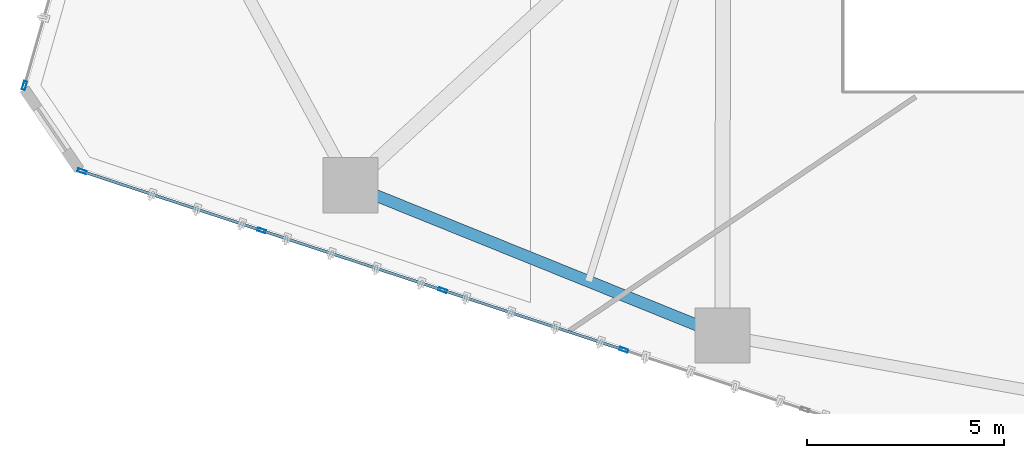
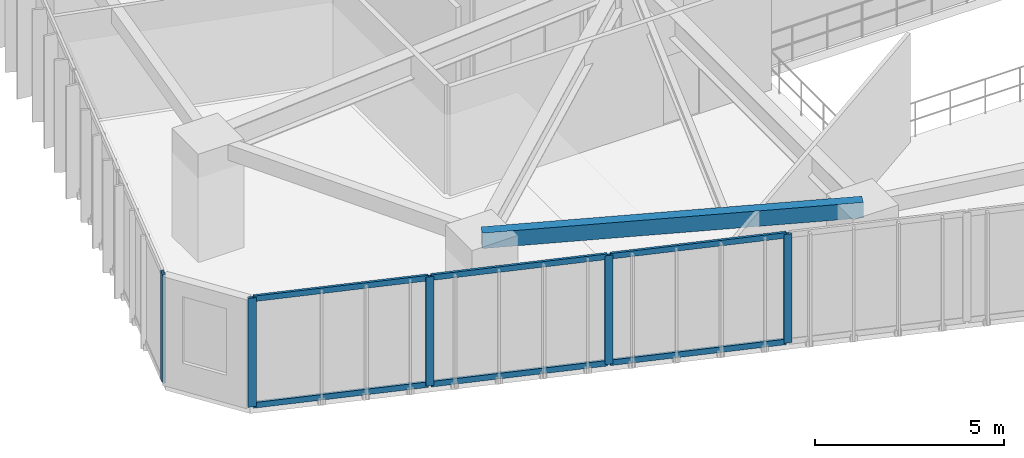
# One storey, part 2 of 23: 11 members, 1 beam, 2 elements without a shape of their own.
"""IFC4 building model written with IfcOpenShell, lengths in metres."""

from ifc_helpers import new_model, si_unit, direction, frame, origin, origin_2d, place, context, subcontext, project, spatial, hollow_rectangle, extrude, source, transform, mapped, material, layer, layer_set, material_profile, profile_set, type_object, type_shapes, element, aggregate, save


model = new_model("IFC4")

# Units and contexts
model_context = context("Model", 3, precision=1e-05, world=origin(), true_north=direction((0.0, 1.0)))
body_context = subcontext(model_context, "Body", "Model", "MODEL_VIEW")
ifc_project = project(units=[si_unit("LENGTHUNIT", "METRE"), si_unit("AREAUNIT", "SQUARE_METRE"), si_unit("VOLUMEUNIT", "CUBIC_METRE"), si_unit("PLANEANGLEUNIT", "RADIAN"), si_unit("MASSUNIT", "GRAM", prefix="KILO")], contexts=[model_context])

# Site, building, storey
site_placement = place(None, origin())
site = spatial("IfcSite", under=ifc_project, at=site_placement, CompositionType="ELEMENT")
building_placement = place(site_placement, origin())
building = spatial("IfcBuilding", under=site, at=building_placement, Name="Talar Marvaseh", CompositionType="ELEMENT")
storey_placement = place(building_placement, frame((0.0, 0.0, 35.39990234375)))
storey = spatial("IfcBuildingStorey", under=building, at=storey_placement, Name="L08", CompositionType="ELEMENT", Elevation=35.39990234375)

# Beam
ifc_material_1 = material(Name="Steel S355", Category="steel")
ifc_material_profile_1 = material_profile(ifc_material_1, hollow_rectangle(XDim=0.300048828125, YDim=0.5, WallThickness=0.02001953125, at=origin_2d()), Name="RHS500x300x20")
ifc_profile_set_1 = profile_set([ifc_material_profile_1], Name="Steel S355")
beam_type = type_object("IfcBeamType", Name="Zone 1 Perimeter Spandrel Beam RHS500x300x20", PredefinedType="SPANDREL", material=ifc_profile_set_1)
beam_placement = place(storey_placement, frame((18.68310546875, 12.97900390625, 3.27001953125), z_axis=(-0.927239278118, 0.374469386084, 0.0), x_axis=(-0.374469386084, -0.927239278118, 0.0)))
element("IfcBeam", 1, at=beam_placement, inside=storey, type_object=beam_type, Name="L08 Zone 1 Perimeter Spandrel Beam RHS500x300x20", PredefinedType="SPANDREL", context=body_context, shape_type="SweptSolid", body=[
    extrude(hollow_rectangle(XDim=0.300048828125, YDim=0.5, WallThickness=0.02001953125, at=origin_2d()), origin(), (0.0, 0.0, 1.0), 10.19287109375),
])

# Curtain wall, member
ifc_material_2 = material(Name="Architectural Aluminium", Category="aluminium")
ifc_layer = layer(ifc_material_2, 0.219970703125)
ifc_layer_set = layer_set([ifc_layer], Name="Architectural Aluminium")
curtain_wall_type = type_object("IfcCurtainWallType", Name="Unitised Low-E Museum Curtain Wall Z1", PredefinedType="NOTDEFINED", material=ifc_layer_set)
curtain_wall_1_placement = place(storey_placement, origin())
curtain_wall_1 = element("IfcCurtainWall", 2, at=curtain_wall_1_placement, inside=storey, type_object=curtain_wall_type, Name="L08 Unitised Low-E Museum Curtain Wall Z1", PredefinedType="NOTDEFINED")
ifc_material_profile_2 = material_profile(ifc_material_2, hollow_rectangle(XDim=0.080078125, YDim=0.219970703125, WallThickness=0.0048828125, at=origin_2d()), Name="RHS220x80x5")
ifc_profile_set_2 = profile_set([ifc_material_profile_2], Name="Architectural Aluminium")
member_type_1 = type_object("IfcMemberType", Name="Unitised Curtain Wall Heavy Mullion RHS220x80x5", PredefinedType="MULLION", material=ifc_profile_set_2)
shared_shape_1 = source(origin(), body_context, "Body", "SweptSolid", [
    extrude(hollow_rectangle(XDim=0.080078125, YDim=0.219970703125, WallThickness=0.0048828125, at=origin_2d()), origin(), (0.0, 0.0, 1.0), 3.52001953125),
])
type_shapes(member_type_1, [shared_shape_1])
member_1_placement = place(storey_placement, frame((0.94775390625, 19.329833984375, 0.0), z_axis=(0.0, 0.0, 1.0), x_axis=(-0.961722496607, 0.274025253434, 0.0)))
member_1 = element("IfcMember", 3, at=member_1_placement, type_object=member_type_1, Name="CW-Z1 mullion 1", PredefinedType="MULLION", context=body_context, shape_type="MappedRepresentation", body=[
    mapped(shared_shape_1, transform((0.0, 0.0, 0.0), x_axis=(1.0, 0.0, 0.0), y_axis=(0.0, 1.0, 0.0), z_axis=(0.0, 0.0, 1.0), scale=1.0)),
])
aggregate(curtain_wall_1, [member_1])

# Curtain wall, members
curtain_wall_2_placement = place(storey_placement, origin())
curtain_wall_2 = element("IfcCurtainWall", 4, at=curtain_wall_2_placement, inside=storey, type_object=curtain_wall_type, Name="L08 Unitised Low-E Museum Curtain Wall Z1", PredefinedType="NOTDEFINED")
member_2_placement = place(storey_placement, frame((16.176513671875, 12.61279296875, 0.0), z_axis=(0.0, 0.0, 1.0), x_axis=(-0.313018748843, -0.949746946756, 0.0)))
member_2 = element("IfcMember", 5, at=member_2_placement, type_object=member_type_1, Name="CW-Z1 mullion 3", PredefinedType="MULLION", context=body_context, shape_type="MappedRepresentation", body=[
    mapped(shared_shape_1, transform((0.0, 0.0, 0.0), x_axis=(1.0, 0.0, 0.0), y_axis=(0.0, 1.0, 0.0), z_axis=(0.0, 0.0, 1.0), scale=1.0)),
])
member_3_placement = place(storey_placement, frame((11.57470703125, 14.12939453125, 0.0), z_axis=(0.0, 0.0, 1.0), x_axis=(-0.313018748843, -0.949746946756, 0.0)))
member_3 = element("IfcMember", 6, at=member_3_placement, type_object=member_type_1, Name="CW-Z1 mullion 4", PredefinedType="MULLION", context=body_context, shape_type="MappedRepresentation", body=[
    mapped(shared_shape_1, transform((0.0, 0.0, 0.0), x_axis=(1.0, 0.0, 0.0), y_axis=(0.0, 1.0, 0.0), z_axis=(0.0, 0.0, 1.0), scale=1.0)),
])
member_4_placement = place(storey_placement, frame((6.972900390625, 15.646240234375, 0.0), z_axis=(0.0, 0.0, 1.0), x_axis=(-0.313018748843, -0.949746946756, 0.0)))
member_4 = element("IfcMember", 7, at=member_4_placement, type_object=member_type_1, Name="CW-Z1 mullion 5", PredefinedType="MULLION", context=body_context, shape_type="MappedRepresentation", body=[
    mapped(shared_shape_1, transform((0.0, 0.0, 0.0), x_axis=(1.0, 0.0, 0.0), y_axis=(0.0, 1.0, 0.0), z_axis=(0.0, 0.0, 1.0), scale=1.0)),
])
member_5_placement = place(storey_placement, frame((2.408935546875, 17.150390625, 0.0), z_axis=(0.0, 0.0, 1.0), x_axis=(-0.313018748843, -0.949746946756, 0.0)))
member_5 = element("IfcMember", 8, at=member_5_placement, type_object=member_type_1, Name="CW-Z1 mullion 6", PredefinedType="MULLION", context=body_context, shape_type="MappedRepresentation", body=[
    mapped(shared_shape_1, transform((0.0, 0.0, 0.0), x_axis=(1.0, 0.0, 0.0), y_axis=(0.0, 1.0, 0.0), z_axis=(0.0, 0.0, 1.0), scale=1.0)),
])
ifc_material_profile_3 = material_profile(ifc_material_2, hollow_rectangle(XDim=0.074951171875, YDim=0.179931640625, WallThickness=0.0048828125, at=origin_2d()), Name="RHS180x75x5")
ifc_profile_set_3 = profile_set([ifc_material_profile_3], Name="Architectural Aluminium")
member_type_2 = type_object("IfcMemberType", Name="Unitised Curtain Wall Transom RHS180x75x5", PredefinedType="USERDEFINED", material=ifc_profile_set_3)
shared_shape_2 = source(origin(), body_context, "Body", "SweptSolid", [
    extrude(hollow_rectangle(XDim=0.074951171875, YDim=0.179931640625, WallThickness=0.0048828125, at=origin_2d()), origin(), (0.0, 0.0, 1.0), 4.725341796875),
])
member_6_placement = place(storey_placement, frame((6.934814453125, 15.65869140625, 0.03759765625), z_axis=(-0.949752504228, 0.313001886117, 0.0), x_axis=(-0.313001886117, -0.949752504228, 0.0)))
member_6 = element("IfcMember", 9, at=member_6_placement, type_object=member_type_2, Name="CW-Z1 transom 5.1", ObjectType="TRANSOM", PredefinedType="USERDEFINED", context=body_context, shape_type="MappedRepresentation", body=[
    mapped(shared_shape_2, transform((0.0, 0.0, 0.0), x_axis=(1.0, 0.0, 0.0), y_axis=(0.0, 1.0, 0.0), z_axis=(0.0, 0.0, 1.0), scale=1.0)),
])
member_7_placement = place(storey_placement, frame((6.934814453125, 15.65869140625, 3.482666015625), z_axis=(-0.949752504228, 0.313001886117, 0.0), x_axis=(-0.313001886117, -0.949752504228, 0.0)))
member_7 = element("IfcMember", 10, at=member_7_placement, type_object=member_type_2, Name="CW-Z1 transom 5.2", ObjectType="TRANSOM", PredefinedType="USERDEFINED", context=body_context, shape_type="MappedRepresentation", body=[
    mapped(shared_shape_2, transform((0.0, 0.0, 0.0), x_axis=(1.0, 0.0, 0.0), y_axis=(0.0, 1.0, 0.0), z_axis=(0.0, 0.0, 1.0), scale=1.0)),
])
shared_shape_3 = source(origin(), body_context, "Body", "SweptSolid", [
    extrude(hollow_rectangle(XDim=0.074951171875, YDim=0.179931640625, WallThickness=0.0048828125, at=origin_2d()), origin(), (0.0, 0.0, 1.0), 4.765380859375),
])
type_shapes(member_type_2, [shared_shape_2, shared_shape_3])
member_8_placement = place(storey_placement, frame((16.138427734375, 12.625244140625, 0.03759765625), z_axis=(-0.949743542461, 0.31302907781, 0.0), x_axis=(-0.31302907781, -0.949743542461, 0.0)))
member_8 = element("IfcMember", 11, at=member_8_placement, type_object=member_type_2, Name="CW-Z1 transom 3.1", ObjectType="TRANSOM", PredefinedType="USERDEFINED", context=body_context, shape_type="MappedRepresentation", body=[
    mapped(shared_shape_3, transform((0.0, 0.0, 0.0), x_axis=(1.0, 0.0, 0.0), y_axis=(0.0, 1.0, 0.0), z_axis=(0.0, 0.0, 1.0), scale=1.0)),
])
member_9_placement = place(storey_placement, frame((16.138427734375, 12.625244140625, 3.482666015625), z_axis=(-0.949743542461, 0.31302907781, 0.0), x_axis=(-0.31302907781, -0.949743542461, 0.0)))
member_9 = element("IfcMember", 12, at=member_9_placement, type_object=member_type_2, Name="CW-Z1 transom 3.2", ObjectType="TRANSOM", PredefinedType="USERDEFINED", context=body_context, shape_type="MappedRepresentation", body=[
    mapped(shared_shape_3, transform((0.0, 0.0, 0.0), x_axis=(1.0, 0.0, 0.0), y_axis=(0.0, 1.0, 0.0), z_axis=(0.0, 0.0, 1.0), scale=1.0)),
])
member_10_placement = place(storey_placement, frame((11.53662109375, 14.141845703125, 0.03759765625), z_axis=(-0.949743542461, 0.31302907781, 0.0), x_axis=(-0.31302907781, -0.949743542461, 0.0)))
member_10 = element("IfcMember", 13, at=member_10_placement, type_object=member_type_2, Name="CW-Z1 transom 4.1", ObjectType="TRANSOM", PredefinedType="USERDEFINED", context=body_context, shape_type="MappedRepresentation", body=[
    mapped(shared_shape_3, transform((0.0, 0.0, 0.0), x_axis=(1.0, 0.0, 0.0), y_axis=(0.0, 1.0, 0.0), z_axis=(0.0, 0.0, 1.0), scale=1.0)),
])
member_11_placement = place(storey_placement, frame((11.53662109375, 14.141845703125, 3.482666015625), z_axis=(-0.949743542461, 0.31302907781, 0.0), x_axis=(-0.31302907781, -0.949743542461, 0.0)))
member_11 = element("IfcMember", 14, at=member_11_placement, type_object=member_type_2, Name="CW-Z1 transom 4.2", ObjectType="TRANSOM", PredefinedType="USERDEFINED", context=body_context, shape_type="MappedRepresentation", body=[
    mapped(shared_shape_3, transform((0.0, 0.0, 0.0), x_axis=(1.0, 0.0, 0.0), y_axis=(0.0, 1.0, 0.0), z_axis=(0.0, 0.0, 1.0), scale=1.0)),
])
aggregate(curtain_wall_2, [member_2, member_3, member_4, member_5, member_8, member_9, member_10, member_11, member_6, member_7])

save(model, "model.ifc")
